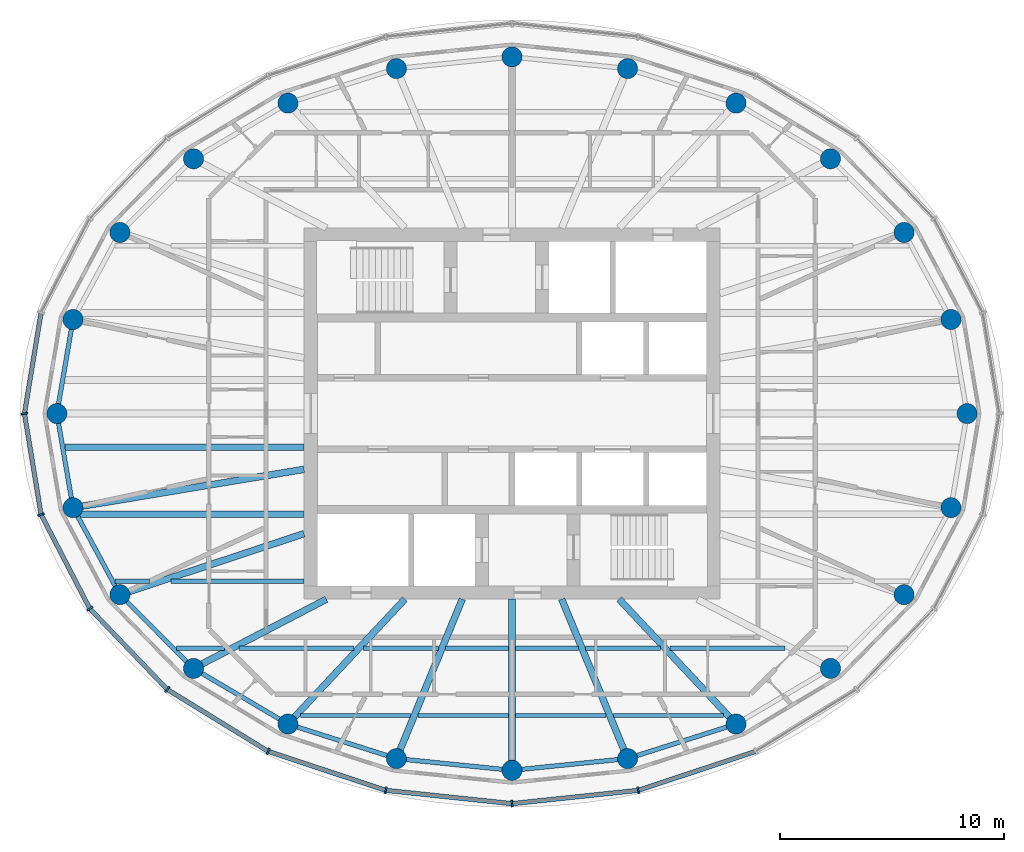
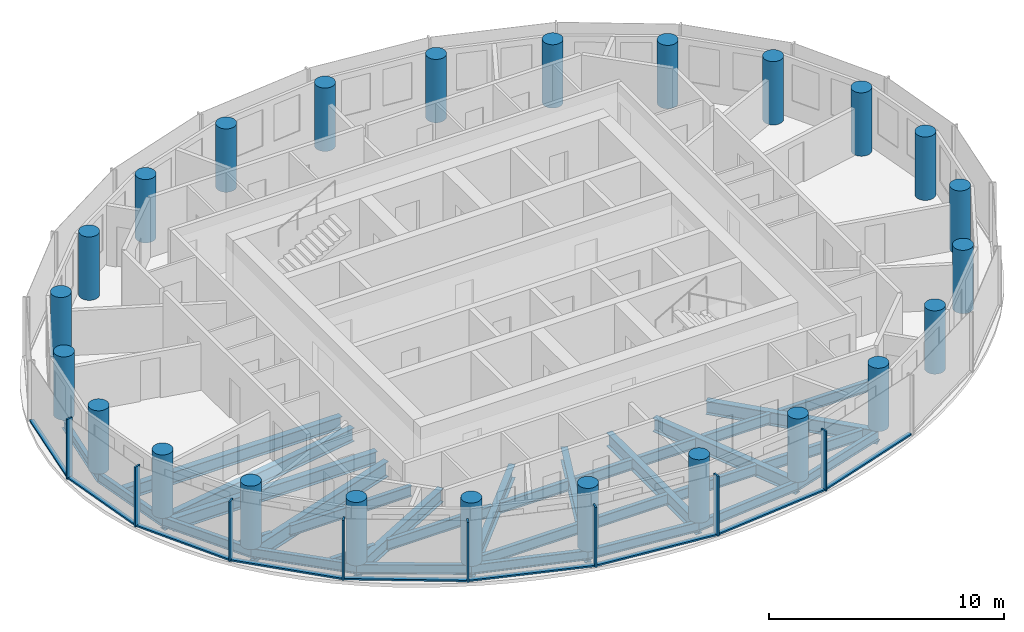
# One storey, part 1 of 11: 32 beams, 24 columns, 17 members, 3 elements without a shape of their own.
"""IFC4 building model written with IfcOpenShell, lengths in metres."""

import ifcopenshell
import ifcopenshell.guid

model = None  # the IFC model being written
_history = None  # IfcOwnerHistory: only IFC2X3 demands one
_inside = {}  # id of a spatial element -> (the spatial element, [elements in it])
_under = {}  # id of a project, library or spatial element -> (it, [spatial elements below it])
_declared = {}  # id of a project -> (the project, [libraries it declares])
_typed = {}  # id of a type object -> (the type object, [elements of that type])
_made_of = {}  # id of a material, layer set ... -> (it, [elements and type objects made of it])


def new_model(schema):
    """Start an empty IFC model of exactly this schema.

    Asked for "IFC4X3", IfcOpenShell would pick the latest addendum, in which some entities
    have other attributes; the version numbers below select the first issue.
    IFC2X3 requires an IfcOwnerHistory on every rooted entity: one is made here for all.
    """
    global model, _history
    if schema == "IFC4X3":
        model = ifcopenshell.file(schema_version=(4, 3, 0, 0))
    else:
        model = ifcopenshell.file(schema=schema)
    _inside.clear()
    _under.clear()
    _declared.clear()
    _typed.clear()
    _made_of.clear()
    _history = None
    if model.schema == "IFC2X3":
        org = make("IfcOrganization", Name="unknown")
        user = make(
            "IfcPersonAndOrganization",
            ThePerson=make("IfcPerson", FamilyName="unknown"),
            TheOrganization=org,
        )
        app = make(
            "IfcApplication",
            ApplicationDeveloper=org,
            Version="unknown",
            ApplicationFullName="unknown",
            ApplicationIdentifier="unknown",
        )
        _history = make(
            "IfcOwnerHistory",
            OwningUser=user,
            OwningApplication=app,
            ChangeAction="ADDED",
            CreationDate=0,
        )
    return model


def make(cls, **values):
    """One entity of the class cls with the attributes given. An attribute that is None is left unset."""
    return model.create_entity(
        cls, **{name: value for name, value in values.items() if value is not None}
    )


def rooted(cls, **values):
    """An entity with a GlobalId (a new one), such as an element, a storey or a relation."""
    return make(cls, GlobalId=ifcopenshell.guid.new(), OwnerHistory=_history, **values)


def si_unit(unit_type, name, prefix=None):
    """IfcSIUnit, for example si_unit("LENGTHUNIT", "METRE", prefix="MILLI")."""
    return make("IfcSIUnit", UnitType=unit_type, Prefix=prefix, Name=name)


def assignment(units):
    """IfcUnitAssignment: the units of a project."""
    return None if units is None else make("IfcUnitAssignment", Units=units)


def point(xyz):
    """IfcCartesianPoint."""
    return None if xyz is None else make("IfcCartesianPoint", Coordinates=xyz)


def direction(xyz):
    """IfcDirection."""
    return None if xyz is None else make("IfcDirection", DirectionRatios=xyz)


def frame(location, z_axis=None, x_axis=None):
    """IfcAxis2Placement3D, a coordinate frame: its origin and axes. An axis left out is left unset."""
    return make(
        "IfcAxis2Placement3D",
        Location=point(location),
        Axis=direction(z_axis),
        RefDirection=direction(x_axis),
    )


def frame_2d(location, x_axis=None):
    """IfcAxis2Placement2D, a coordinate frame in the plane: its origin and x axis."""
    return make(
        "IfcAxis2Placement2D", Location=point(location), RefDirection=direction(x_axis)
    )


def origin():
    """The frame at (0, 0, 0) with its axes left unset."""
    return frame((0.0, 0.0, 0.0))


def origin_2d():
    """The frame at (0, 0) in the plane with its x axis left unset."""
    return frame_2d((0.0, 0.0))


def place(relative_to, where):
    """IfcLocalPlacement: puts the frame where relative to a parent placement (None: the world)."""
    return make(
        "IfcLocalPlacement", PlacementRelTo=relative_to, RelativePlacement=where
    )


def context(
    kind, dimensions, precision=None, world=None, true_north=None, identifier=None
):
    """IfcGeometricRepresentationContext, for example the 3D "Model" context."""
    return make(
        "IfcGeometricRepresentationContext",
        ContextIdentifier=identifier,
        ContextType=kind,
        CoordinateSpaceDimension=dimensions,
        Precision=precision,
        WorldCoordinateSystem=world,
        TrueNorth=true_north,
    )


def subcontext(parent, identifier, kind, view, scale=None):
    """IfcGeometricRepresentationSubContext, for example "Body" below "Model"."""
    return make(
        "IfcGeometricRepresentationSubContext",
        ContextIdentifier=identifier,
        ContextType=kind,
        ParentContext=parent,
        TargetScale=scale,
        TargetView=view,
    )


def project(units=None, contexts=None):
    """IfcProject with its units and contexts."""
    return rooted(
        "IfcProject",
        Name="project",
        RepresentationContexts=contexts,
        UnitsInContext=assignment(units),
    )


def spatial(cls, under=None, at=None, **own):
    """A site, building, storey or space (cls), placed at a placement, below another one or the project."""
    s = rooted(cls, ObjectPlacement=at, **own)
    if under is not None:
        _under.setdefault(under.id(), (under, []))[1].append(s)
    return s


def profile(cls, at=None, kind="AREA", **sizes):
    """A parametric profile (cls). Its sizes go by their IFC names, for example OverallWidth=200.0."""
    return make(cls, ProfileType=kind, Position=at, **sizes)


def rectangle(**sizes):
    """IfcRectangleProfileDef."""
    return profile("IfcRectangleProfileDef", **sizes)


def circle(**sizes):
    """IfcCircleProfileDef."""
    return profile("IfcCircleProfileDef", **sizes)


def i_section(**sizes):
    """IfcIShapeProfileDef."""
    return profile("IfcIShapeProfileDef", **sizes)


def extrude(swept, where, along, depth):
    """IfcExtrudedAreaSolid: the profile swept, set in the frame where, extruded along a direction by depth."""
    return make(
        "IfcExtrudedAreaSolid",
        SweptArea=swept,
        Position=where,
        ExtrudedDirection=direction(along),
        Depth=depth,
    )


def shape(context_of_items, identifier, shape_type, items):
    """IfcShapeRepresentation: the items that make up one representation, for example the "Body"."""
    return make(
        "IfcShapeRepresentation",
        ContextOfItems=context_of_items,
        RepresentationIdentifier=identifier,
        RepresentationType=shape_type,
        Items=items,
    )


def material(Name=None, Category=None):
    """IfcMaterial."""
    return make("IfcMaterial", Name=Name, Category=Category)


def material_profile(
    of_material, cross_section, Name=None, Category=None, Priority=None
):
    """IfcMaterialProfile: a cross section and its material."""
    return make(
        "IfcMaterialProfile",
        Name=Name,
        Material=of_material,
        Profile=cross_section,
        Priority=Priority,
        Category=Category,
    )


def profile_set(profiles, Name=None, composite=None):
    """IfcMaterialProfileSet."""
    return make(
        "IfcMaterialProfileSet",
        Name=Name,
        MaterialProfiles=profiles,
        CompositeProfile=composite,
    )


def made_of(thing, what):
    """Note that an element or type object is made of a material, layer set ...; save() writes the relation."""
    if what is not None:
        _made_of.setdefault(what.id(), (what, []))[1].append(thing)
    return thing


def type_object(cls, material=None, **own):
    """A type object (cls), such as IfcWallType, which elements share."""
    return made_of(rooted(cls, **own), material)


def element(
    cls,
    number,
    at=None,
    inside=None,
    cuts=None,
    type_object=None,
    material=None,
    context=None,
    identifier="Body",
    shape_type=None,
    held_by="IfcProductDefinitionShape",
    body=None,
    shapes=None,
    **own,
):
    """One element of the class cls, such as IfcWall. Its Tag is "e" and its number.

    at: its placement. inside: the storey or other place that contains it. cuts: it is an
    opening in that element (IfcRelVoidsElement). A single representation is given by context,
    identifier, shape_type and body (its items); several are given by shapes. held_by: the class
    of the entity that holds the representations. save() writes the other relations.
    """
    e = rooted(cls, Tag="e%d" % number, ObjectPlacement=at, **own)
    if body is not None:
        shapes = [shape(context, identifier, shape_type, body)]
    if shapes is not None:
        e.Representation = make(held_by, Representations=shapes)
    if inside is not None:
        _inside.setdefault(inside.id(), (inside, []))[1].append(e)
    if cuts is not None:
        rooted(
            "IfcRelVoidsElement", RelatingBuildingElement=cuts, RelatedOpeningElement=e
        )
    if type_object is not None:
        _typed.setdefault(type_object.id(), (type_object, []))[1].append(e)
    return made_of(e, material)


def aggregate(whole, parts):
    """IfcRelAggregates: a whole, such as a stair, and the parts it consists of."""
    return rooted("IfcRelAggregates", RelatingObject=whole, RelatedObjects=parts)


def save(model, path):
    """Write the relations noted so far, then the file.

    IfcRelAggregates (storeys below a building ...), IfcRelContainedInSpatialStructure (elements
    in a storey), IfcRelDefinesByType, IfcRelAssociatesMaterial and IfcRelDeclares: one each for
    every whole, place, type object, material and project.
    """
    for whole, parts in _under.values():
        aggregate(whole, parts)
    for where, things in _inside.values():
        rooted(
            "IfcRelContainedInSpatialStructure",
            RelatedElements=things,
            RelatingStructure=where,
        )
    for kind, things in _typed.values():
        rooted("IfcRelDefinesByType", RelatedObjects=things, RelatingType=kind)
    for what, things in _made_of.values():
        rooted("IfcRelAssociatesMaterial", RelatedObjects=things, RelatingMaterial=what)
    for by, libraries in _declared.values():
        rooted("IfcRelDeclares", RelatingContext=by, RelatedDefinitions=libraries)
    model.write(path)


model = new_model("IFC4")

# Units and contexts
model_context = context("Model", 3, precision=1e-05, world=origin(), true_north=direction((0.0, 1.0)))
body_context = subcontext(model_context, "Body", "Model", "MODEL_VIEW")
ifc_project = project(units=[si_unit("LENGTHUNIT", "METRE"), si_unit("AREAUNIT", "SQUARE_METRE"), si_unit("VOLUMEUNIT", "CUBIC_METRE"), si_unit("PLANEANGLEUNIT", "RADIAN"), si_unit("MASSUNIT", "GRAM", prefix="KILO")], contexts=[model_context])

# Site, building, storey
site_placement = place(None, origin())
site = spatial("IfcSite", under=ifc_project, at=site_placement, CompositionType="ELEMENT")
building_placement = place(site_placement, origin())
building = spatial("IfcBuilding", under=site, at=building_placement, Name="Hankou Lantern Tower", CompositionType="ELEMENT")
storey_placement = place(building_placement, frame((0.0, 0.0, 225.89990234375)))
storey = spatial("IfcBuildingStorey", under=building, at=storey_placement, Name="L61", CompositionType="ELEMENT", Elevation=225.89990234375)

# Columns
ifc_material_1 = material(Name="Concrete C50", Category="concrete")
ifc_material_profile_1 = material_profile(ifc_material_1, circle(Radius=0.449951171875, at=origin_2d()), Name="RC D900")
ifc_profile_set_1 = profile_set([ifc_material_profile_1], Name="Concrete C50")
column_type = type_object("IfcColumnType", Name="TC5 PERIMETER COLUMN RC D900", PredefinedType="COLUMN", material=ifc_profile_set_1)
for number, where, z_axis, x_axis, name in (
    (1, (20.35009765625, 0.0, 0.0), (0.0, 0.0, 1.0), (1.0, 0.0, 0.0), "Column R01 L61"),
    (2, (19.629150390625, 4.207763671875, 0.0), (0.0, 0.0, 1.0), (1.0, 0.0, 0.0), "Column R02 L61"),
    (3, (17.5322265625, 8.097900390625, 0.0), (0.0, 0.0, 1.0), (1.0, 0.0, 0.0), "Column R03 L61"),
    (4, (14.241455078125, 11.393310546875, 0.0), (0.0, 0.0, 1.0), (1.0, 0.0, 0.0), "Column R04 L61"),
    (5, (10.01904296875, 13.8828125, 0.0), (0.0, 0.0, 1.0), (1.0, 0.0, 0.0), "Column R05 L61"),
    (6, (5.167236328125, 15.42724609375, 0.0), (0.0, 0.0, 1.0), (1.0, 0.0, 0.0), "Column R06 L61"),
    (7, (0.0, 15.949951171875, 0.0), (0.0, 0.0, 1.0), (1.0, 0.0, 0.0), "Column R07 L61"),
    (8, (-5.167236328125, 15.42724609375, 0.0), (0.0, 0.0, 1.0), (1.0, 0.0, 0.0), "Column R08 L61"),
    (9, (-10.01904296875, 13.8828125, 0.0), (0.0, 0.0, 1.0), (1.0, 0.0, 0.0), "Column R09 L61"),
    (10, (-14.241455078125, 11.393310546875, 0.0), (0.0, 0.0, 1.0), (1.0, 0.0, 0.0), "Column R10 L61"),
    (11, (-17.5322265625, 8.097900390625, 0.0), (0.0, 0.0, 1.0), (1.0, 0.0, 0.0), "Column R11 L61"),
    (12, (-19.629150390625, 4.207763671875, 0.0), (0.0, 0.0, 1.0), (1.0, 0.0, 0.0), "Column R12 L61"),
    (13, (-20.35009765625, 0.0, 0.0), (0.0, 0.0, 1.0), (1.0, 0.0, 0.0), "Column R13 L61"),
    (14, (-19.629150390625, -4.207763671875, 0.0), (0.0, 0.0, 1.0), (1.0, 0.0, 0.0), "Column R14 L61"),
    (15, (-17.5322265625, -8.097900390625, 0.0), (0.0, 0.0, 1.0), (1.0, 0.0, 0.0), "Column R15 L61"),
    (16, (-14.241455078125, -11.393310546875, 0.0), (0.0, 0.0, 1.0), (1.0, 0.0, 0.0), "Column R16 L61"),
    (17, (-10.01904296875, -13.8828125, 0.0), (0.0, 0.0, 1.0), (1.0, 0.0, 0.0), "Column R17 L61"),
    (18, (-5.167236328125, -15.42724609375, 0.0), (0.0, 0.0, 1.0), (1.0, 0.0, 0.0), "Column R18 L61"),
    (19, (0.0, -15.949951171875, 0.0), (0.0, 0.0, 1.0), (1.0, 0.0, 0.0), "Column R19 L61"),
    (20, (5.167236328125, -15.42724609375, 0.0), (0.0, 0.0, 1.0), (1.0, 0.0, 0.0), "Column R20 L61"),
    (21, (10.01904296875, -13.8828125, 0.0), (0.0, 0.0, 1.0), (1.0, 0.0, 0.0), "Column R21 L61"),
    (22, (14.241455078125, -11.393310546875, 0.0), (0.0, 0.0, 1.0), (1.0, 0.0, 0.0), "Column R22 L61"),
    (23, (17.5322265625, -8.097900390625, 0.0), (0.0, 0.0, 1.0), (1.0, 0.0, 0.0), "Column R23 L61"),
    (24, (19.629150390625, -4.207763671875, 0.0), (0.0, 0.0, 1.0), (1.0, 0.0, 0.0), "Column R24 L61"),
):
    element("IfcColumn", number, at=place(storey_placement, frame(where, z_axis=z_axis, x_axis=x_axis)), inside=storey, type_object=column_type, Name=name, PredefinedType="COLUMN", context=body_context, shape_type="SweptSolid", body=[
        extrude(circle(Radius=0.449951171875, at=origin_2d()), origin(), (0.0, 0.0, 1.0), 3.300048828125),
    ])

# Beams
ifc_material_2 = material(Name="Steel Q355B", Category="steel")
ifc_material_profile_2 = material_profile(ifc_material_2, i_section(OverallWidth=0.199951171875, OverallDepth=0.5, WebThickness=0.010009765625, FlangeThickness=0.01611328125, FilletRadius=0.012939453125, at=origin_2d()), Name="HN500x200x10x16")
ifc_profile_set_2 = profile_set([ifc_material_profile_2], Name="Steel Q355B")
beam_type_1 = type_object("IfcBeamType", Name="EB5 RING BEAM HN500x200x10x16", PredefinedType="SPANDREL", material=ifc_profile_set_2)
for number, where, z_axis, x_axis, name in (
    (25, (-19.629150390625, 4.207763671875, -0.429931640625), (-0.168876512999, -0.98563721691, 0.0), (0.98563721691, -0.168876512999, 0.0), "Ring beam R12-R13 L61"),
    (26, (-20.35009765625, 0.0, -0.429931640625), (0.168876512999, -0.98563721691, 0.0), (0.98563721691, 0.168876512999, 0.0), "Ring beam R13-R14 L61"),
):
    element("IfcBeam", number, at=place(storey_placement, frame(where, z_axis=z_axis, x_axis=x_axis)), inside=storey, type_object=beam_type_1, Name=name, PredefinedType="SPANDREL", context=body_context, shape_type="SweptSolid", body=[
        extrude(i_section(OverallWidth=0.199951171875, OverallDepth=0.5, WebThickness=0.010009765625, FlangeThickness=0.01611328125, FilletRadius=0.012939453125, at=origin_2d()), origin(), (0.0, 0.0, 1.0), 4.26904296875),
    ])
beam_1_placement = place(storey_placement, frame((-19.629150390625, -4.207763671875, -0.429931640625), z_axis=(0.474491806611, -0.880259919262, 0.0), x_axis=(0.880259919262, 0.474491806611, 0.0)))
element("IfcBeam", 27, at=beam_1_placement, inside=storey, type_object=beam_type_1, Name="Ring beam R14-R15 L61", PredefinedType="SPANDREL", context=body_context, shape_type="SweptSolid", body=[
    extrude(i_section(OverallWidth=0.199951171875, OverallDepth=0.5, WebThickness=0.010009765625, FlangeThickness=0.01611328125, FilletRadius=0.012939453125, at=origin_2d()), origin(), (0.0, 0.0, 1.0), 4.419189453125),
])
beam_2_placement = place(storey_placement, frame((-17.5322265625, -8.097900390625, -0.429931640625), z_axis=(0.706608588034, -0.707604623583, 0.0), x_axis=(0.707604623583, 0.706608588034, 0.0)))
element("IfcBeam", 28, at=beam_2_placement, inside=storey, type_object=beam_type_1, Name="Ring beam R15-R16 L61", PredefinedType="SPANDREL", context=body_context, shape_type="SweptSolid", body=[
    extrude(i_section(OverallWidth=0.199951171875, OverallDepth=0.5, WebThickness=0.010009765625, FlangeThickness=0.01611328125, FilletRadius=0.012939453125, at=origin_2d()), origin(), (0.0, 0.0, 1.0), 4.6572265625),
])
beam_3_placement = place(storey_placement, frame((-14.241455078125, -11.393310546875, -0.429931640625), z_axis=(0.861422897323, -0.507888365655, 0.0), x_axis=(0.507888365655, 0.861422897323, 0.0)))
element("IfcBeam", 29, at=beam_3_placement, inside=storey, type_object=beam_type_1, Name="Ring beam R16-R17 L61", PredefinedType="SPANDREL", context=body_context, shape_type="SweptSolid", body=[
    extrude(i_section(OverallWidth=0.199951171875, OverallDepth=0.5, WebThickness=0.010009765625, FlangeThickness=0.01611328125, FilletRadius=0.012939453125, at=origin_2d()), origin(), (0.0, 0.0, 1.0), 4.901611328125),
])
beam_4_placement = place(storey_placement, frame((-10.01904296875, -13.8828125, -0.429931640625), z_axis=(0.952887359315, -0.303324381574, 0.0), x_axis=(0.303324381574, 0.952887359315, 0.0)))
element("IfcBeam", 30, at=beam_4_placement, inside=storey, type_object=beam_type_1, Name="Ring beam R17-R18 L61", PredefinedType="SPANDREL", context=body_context, shape_type="SweptSolid", body=[
    extrude(i_section(OverallWidth=0.199951171875, OverallDepth=0.5, WebThickness=0.010009765625, FlangeThickness=0.01611328125, FilletRadius=0.012939453125, at=origin_2d()), origin(), (0.0, 0.0, 1.0), 5.091796875),
])
for number, where, z_axis, x_axis, name in (
    (31, (-5.167236328125, -15.42724609375, -0.429931640625), (0.994922507736, -0.100643944676, 0.0), (0.100643944676, 0.994922507736, 0.0), "Ring beam R18-R19 L61"),
    (32, (0.0, -15.949951171875, -0.429931640625), (0.994922507736, 0.100643944676, 0.0), (-0.100643944676, 0.994922507736, 0.0), "Ring beam R19-R20 L61"),
):
    element("IfcBeam", number, at=place(storey_placement, frame(where, z_axis=z_axis, x_axis=x_axis)), inside=storey, type_object=beam_type_1, Name=name, PredefinedType="SPANDREL", context=body_context, shape_type="SweptSolid", body=[
        extrude(i_section(OverallWidth=0.199951171875, OverallDepth=0.5, WebThickness=0.010009765625, FlangeThickness=0.01611328125, FilletRadius=0.012939453125, at=origin_2d()), origin(), (0.0, 0.0, 1.0), 5.193603515625),
    ])
beam_5_placement = place(storey_placement, frame((5.167236328125, -15.42724609375, -0.429931640625), z_axis=(0.952887359315, 0.303324381574, 0.0), x_axis=(-0.303324381574, 0.952887359315, 0.0)))
element("IfcBeam", 33, at=beam_5_placement, inside=storey, type_object=beam_type_1, Name="Ring beam R20-R21 L61", PredefinedType="SPANDREL", context=body_context, shape_type="SweptSolid", body=[
    extrude(i_section(OverallWidth=0.199951171875, OverallDepth=0.5, WebThickness=0.010009765625, FlangeThickness=0.01611328125, FilletRadius=0.012939453125, at=origin_2d()), origin(), (0.0, 0.0, 1.0), 5.091796875),
])

# Curtain wall, members
ifc_material_3 = material(Name="Glass, dark grey tinted laminated", Category="glass")
curtain_wall_type = type_object("IfcCurtainWallType", Name="CWD OUTER SKIN SUITE", PredefinedType="USERDEFINED", material=ifc_material_3)
curtain_wall_1_placement = place(storey_placement, origin())
curtain_wall_1 = element("IfcCurtainWall", 34, at=curtain_wall_1_placement, inside=storey, type_object=curtain_wall_type, Name="CWD L61 OS3", ObjectType="OUTER SKIN SUITE", PredefinedType="USERDEFINED")
ifc_material_4 = material(Name="Aluminium, black anodised", Category="aluminium")
ifc_material_profile_3 = material_profile(ifc_material_4, rectangle(XDim=0.080078125, YDim=0.300048828125, at=origin_2d()), Name="MU1 80X300")
ifc_profile_set_3 = profile_set([ifc_material_profile_3], Name="Aluminium, black anodised")
member_type_1 = type_object("IfcMemberType", Name="MU1 OUTER SKIN MULLION 80X300", PredefinedType="MULLION", material=ifc_profile_set_3)
member_1_placement = place(storey_placement, frame((-21.800048828125, 0.0, 0.0), z_axis=(0.0, 0.0, 1.0), x_axis=(0.162381515188, -0.986728049427, 0.0)))
member_1 = element("IfcMember", 35, at=member_1_placement, type_object=member_type_1, Name="CWD mullion 1", PredefinedType="MULLION", context=body_context, shape_type="SweptSolid", body=[
    extrude(rectangle(XDim=0.080078125, YDim=0.300048828125, at=origin_2d()), origin(), (0.0, 0.0, 1.0), 3.1201171875),
])
member_2_placement = place(storey_placement, frame((-21.05712890625, -4.513916015625, 0.0), z_axis=(0.0, 0.0, 1.0), x_axis=(0.317595577365, -0.94822626479, 0.0)))
member_2 = element("IfcMember", 36, at=member_2_placement, type_object=member_type_1, Name="CWD mullion 2", PredefinedType="MULLION", context=body_context, shape_type="SweptSolid", body=[
    extrude(rectangle(XDim=0.080078125, YDim=0.300048828125, at=origin_2d()), origin(), (0.0, 0.0, 1.0), 3.1201171875),
])
member_3_placement = place(storey_placement, frame((-18.87939453125, -8.719970703125, 0.0), z_axis=(0.0, 0.0, 1.0), x_axis=(0.585205735974, -0.810884854084, 0.0)))
member_3 = element("IfcMember", 37, at=member_3_placement, type_object=member_type_1, Name="CWD mullion 3", PredefinedType="MULLION", context=body_context, shape_type="SweptSolid", body=[
    extrude(rectangle(XDim=0.080078125, YDim=0.300048828125, at=origin_2d()), origin(), (0.0, 0.0, 1.0), 3.1201171875),
])
member_4_placement = place(storey_placement, frame((-15.4150390625, -12.33203125, 0.0), z_axis=(0.0, 0.0, 1.0), x_axis=(0.780868809444, -0.624695047553, 0.0)))
member_4 = element("IfcMember", 38, at=member_4_placement, type_object=member_type_1, Name="CWD mullion 4", PredefinedType="MULLION", context=body_context, shape_type="SweptSolid", body=[
    extrude(rectangle(XDim=0.080078125, YDim=0.300048828125, at=origin_2d()), origin(), (0.0, 0.0, 1.0), 3.1201171875),
])
member_5_placement = place(storey_placement, frame((-10.89990234375, -15.103515625, 0.0), z_axis=(0.0, 0.0, 1.0), x_axis=(0.907841299004, -0.419313934686, 0.0)))
member_5 = element("IfcMember", 39, at=member_5_placement, type_object=member_type_1, Name="CWD mullion 5", PredefinedType="MULLION", context=body_context, shape_type="SweptSolid", body=[
    extrude(rectangle(XDim=0.080078125, YDim=0.300048828125, at=origin_2d()), origin(), (0.0, 0.0, 1.0), 3.1201171875),
])
member_6_placement = place(storey_placement, frame((-5.642333984375, -16.845703125, 0.0), z_axis=(0.0, 0.0, 1.0), x_axis=(0.977787659625, -0.209597931016, 0.0)))
member_6 = element("IfcMember", 40, at=member_6_placement, type_object=member_type_1, Name="CWD mullion 6", PredefinedType="MULLION", context=body_context, shape_type="SweptSolid", body=[
    extrude(rectangle(XDim=0.080078125, YDim=0.300048828125, at=origin_2d()), origin(), (0.0, 0.0, 1.0), 3.1201171875),
])

curtain_wall_2_placement = place(storey_placement, origin())
curtain_wall_2 = element("IfcCurtainWall", 41, at=curtain_wall_2_placement, inside=storey, type_object=curtain_wall_type, Name="CWD L61 OS4", ObjectType="OUTER SKIN SUITE", PredefinedType="USERDEFINED")
member_7_placement = place(storey_placement, frame((0.0, -17.43994140625, 0.0), z_axis=(0.0, 0.0, 1.0), x_axis=(0.994499359107, 0.104742659579, 0.0)))
member_7 = element("IfcMember", 42, at=member_7_placement, type_object=member_type_1, Name="CWD mullion 1", PredefinedType="MULLION", context=body_context, shape_type="SweptSolid", body=[
    extrude(rectangle(XDim=0.080078125, YDim=0.300048828125, at=origin_2d()), origin(), (0.0, 0.0, 1.0), 3.1201171875),
])
member_8_placement = place(storey_placement, frame((5.642333984375, -16.845703125, 0.0), z_axis=(0.0, 0.0, 1.0), x_axis=(0.977787659625, 0.209597931016, 0.0)))
member_8 = element("IfcMember", 43, at=member_8_placement, type_object=member_type_1, Name="CWD mullion 2", PredefinedType="MULLION", context=body_context, shape_type="SweptSolid", body=[
    extrude(rectangle(XDim=0.080078125, YDim=0.300048828125, at=origin_2d()), origin(), (0.0, 0.0, 1.0), 3.1201171875),
])

# Beams
ifc_material_5 = material(Name="Steel Q355B", Category="steel")
ifc_material_profile_4 = material_profile(ifc_material_5, i_section(OverallWidth=0.300048828125, OverallDepth=0.800048828125, WebThickness=0.013916015625, FlangeThickness=0.02587890625, FilletRadius=0.01806640625, at=origin_2d()), Name="HN800x300x14x26")
ifc_profile_set_4 = profile_set([ifc_material_profile_4], Name="Steel Q355B")
beam_type_2 = type_object("IfcBeamType", Name="RB11 RADIAL BEAM HN800x300x14x26", PredefinedType="BEAM", material=ifc_profile_set_4)
beam_6_placement = place(storey_placement, frame((-9.300048828125, -5.369384765625, -0.579833984375), z_axis=(-0.949219608576, -0.314614263337, 0.0), x_axis=(0.314614263337, -0.949219608576, 0.0)))
element("IfcBeam", 44, at=beam_6_placement, inside=storey, type_object=beam_type_2, Name="Radial beam R15 L61", PredefinedType="BEAM", context=body_context, shape_type="SweptSolid", body=[
    extrude(i_section(OverallWidth=0.300048828125, OverallDepth=0.800048828125, WebThickness=0.013916015625, FlangeThickness=0.02587890625, FilletRadius=0.01806640625, at=origin_2d()), origin(), (0.0, 0.0, 1.0), 8.672607421875),
])
ifc_material_6 = material(Name="Steel Q355B", Category="steel")
ifc_material_profile_5 = material_profile(ifc_material_6, i_section(OverallWidth=0.300048828125, OverallDepth=0.699951171875, WebThickness=0.012939453125, FlangeThickness=0.02392578125, FilletRadius=0.01806640625, at=origin_2d()), Name="HN700x300x13x24")
ifc_profile_set_5 = profile_set([ifc_material_profile_5], Name="Steel Q355B")
beam_type_3 = type_object("IfcBeamType", Name="RB9 RADIAL BEAM HN700x300x13x24", PredefinedType="BEAM", material=ifc_profile_set_5)
beam_7_placement = place(storey_placement, frame((-9.300048828125, -2.491943359375, -0.52978515625), z_axis=(-0.986482007061, -0.163869612027, 0.0), x_axis=(0.163869612027, -0.986482007061, 0.0)))
element("IfcBeam", 45, at=beam_7_placement, inside=storey, type_object=beam_type_3, Name="Radial beam R14 L61", PredefinedType="BEAM", context=body_context, shape_type="SweptSolid", body=[
    extrude(i_section(OverallWidth=0.300048828125, OverallDepth=0.699951171875, WebThickness=0.012939453125, FlangeThickness=0.02392578125, FilletRadius=0.01806640625, at=origin_2d()), origin(), (0.0, 0.0, 1.0), 10.470703125),
])
beam_8_placement = place(storey_placement, frame((-8.300048828125, -8.300048828125, -0.52978515625), z_axis=(-0.886988734783, -0.461791061378, 0.0), x_axis=(0.461791061378, -0.886988734783, 0.0)))
element("IfcBeam", 46, at=beam_8_placement, inside=storey, type_object=beam_type_3, Name="Radial beam R16 L61", PredefinedType="BEAM", context=body_context, shape_type="SweptSolid", body=[
    extrude(i_section(OverallWidth=0.300048828125, OverallDepth=0.699951171875, WebThickness=0.012939453125, FlangeThickness=0.02392578125, FilletRadius=0.01806640625, at=origin_2d()), origin(), (0.0, 0.0, 1.0), 6.698486328125),
])
beam_9_placement = place(storey_placement, frame((-4.7919921875, -8.300048828125, -0.52978515625), z_axis=(-0.68346844743, -0.729980055459, 0.0), x_axis=(0.729980055459, -0.68346844743, 0.0)))
element("IfcBeam", 47, at=beam_9_placement, inside=storey, type_object=beam_type_3, Name="Radial beam R17 L61", PredefinedType="BEAM", context=body_context, shape_type="SweptSolid", body=[
    extrude(i_section(OverallWidth=0.300048828125, OverallDepth=0.699951171875, WebThickness=0.012939453125, FlangeThickness=0.02392578125, FilletRadius=0.01806640625, at=origin_2d()), origin(), (0.0, 0.0, 1.0), 7.64794921875),
])
beam_10_placement = place(storey_placement, frame((-2.223876953125, -8.300048828125, -0.52978515625), z_axis=(-0.381706648123, -0.924283525104, 0.0), x_axis=(0.924283525104, -0.381706648123, 0.0)))
element("IfcBeam", 48, at=beam_10_placement, inside=storey, type_object=beam_type_3, Name="Radial beam R18 L61", PredefinedType="BEAM", context=body_context, shape_type="SweptSolid", body=[
    extrude(i_section(OverallWidth=0.300048828125, OverallDepth=0.699951171875, WebThickness=0.012939453125, FlangeThickness=0.02392578125, FilletRadius=0.01806640625, at=origin_2d()), origin(), (0.0, 0.0, 1.0), 7.7109375),
])
beam_11_placement = place(storey_placement, frame((0.0, -8.300048828125, -0.52978515625), z_axis=(0.0, -1.0, 0.0), x_axis=(1.0, 0.0, 0.0)))
element("IfcBeam", 49, at=beam_11_placement, inside=storey, type_object=beam_type_3, Name="Radial beam R19 L61", PredefinedType="BEAM", context=body_context, shape_type="SweptSolid", body=[
    extrude(i_section(OverallWidth=0.300048828125, OverallDepth=0.699951171875, WebThickness=0.012939453125, FlangeThickness=0.02392578125, FilletRadius=0.01806640625, at=origin_2d()), origin(), (0.0, 0.0, 1.0), 7.64990234375),
])
beam_12_placement = place(storey_placement, frame((2.223876953125, -8.300048828125, -0.52978515625), z_axis=(0.381706648123, -0.924283525104, 0.0), x_axis=(0.924283525104, 0.381706648123, 0.0)))
element("IfcBeam", 50, at=beam_12_placement, inside=storey, type_object=beam_type_3, Name="Radial beam R20 L61", PredefinedType="BEAM", context=body_context, shape_type="SweptSolid", body=[
    extrude(i_section(OverallWidth=0.300048828125, OverallDepth=0.699951171875, WebThickness=0.012939453125, FlangeThickness=0.02392578125, FilletRadius=0.01806640625, at=origin_2d()), origin(), (0.0, 0.0, 1.0), 7.7109375),
])
beam_13_placement = place(storey_placement, frame((4.7919921875, -8.300048828125, -0.52978515625), z_axis=(0.68346844743, -0.729980055459, 0.0), x_axis=(0.729980055459, 0.68346844743, 0.0)))
element("IfcBeam", 51, at=beam_13_placement, inside=storey, type_object=beam_type_3, Name="Radial beam R21 L61", PredefinedType="BEAM", context=body_context, shape_type="SweptSolid", body=[
    extrude(i_section(OverallWidth=0.300048828125, OverallDepth=0.699951171875, WebThickness=0.012939453125, FlangeThickness=0.02392578125, FilletRadius=0.01806640625, at=origin_2d()), origin(), (0.0, 0.0, 1.0), 7.64794921875),
])
ifc_material_7 = material(Name="Steel Q355B", Category="steel")
ifc_material_profile_6 = material_profile(ifc_material_7, i_section(OverallWidth=0.199951171875, OverallDepth=0.550048828125, WebThickness=0.010009765625, FlangeThickness=0.01611328125, FilletRadius=0.012939453125, at=origin_2d()), Name="HN550x200x10x16")
ifc_profile_set_6 = profile_set([ifc_material_profile_6], Name="Steel Q355B")
beam_type_4 = type_object("IfcBeamType", Name="SB6 SECONDARY BEAM HN550x200x10x16", PredefinedType="JOIST", material=ifc_profile_set_6)
beam_14_placement = place(storey_placement, frame((-9.455078125, -13.5, -0.454833984375), z_axis=(1.0, 0.0, 0.0), x_axis=(0.0, 1.0, 0.0)))
element("IfcBeam", 52, at=beam_14_placement, inside=storey, type_object=beam_type_4, Name="Floor joist J001 L61", PredefinedType="JOIST", context=body_context, shape_type="SweptSolid", body=[
    extrude(i_section(OverallWidth=0.199951171875, OverallDepth=0.550048828125, WebThickness=0.010009765625, FlangeThickness=0.01611328125, FilletRadius=0.012939453125, at=origin_2d()), origin(), (0.0, 0.0, 1.0), 4.92138671875),
])
for number, where, z_axis, x_axis, name in (
    (53, (-4.208984375, -13.5, -0.454833984375), (1.0, 0.0, 0.0), (0.0, 1.0, 0.0), "Floor joist J002 L61"),
    (54, (0.14990234375, -13.5, -0.454833984375), (1.0, 0.0, 0.0), (0.0, 1.0, 0.0), "Floor joist J003 L61"),
):
    element("IfcBeam", number, at=place(storey_placement, frame(where, z_axis=z_axis, x_axis=x_axis)), inside=storey, type_object=beam_type_4, Name=name, PredefinedType="JOIST", context=body_context, shape_type="SweptSolid", body=[
        extrude(i_section(OverallWidth=0.199951171875, OverallDepth=0.550048828125, WebThickness=0.010009765625, FlangeThickness=0.01611328125, FilletRadius=0.012939453125, at=origin_2d()), origin(), (0.0, 0.0, 1.0), 4.05908203125),
    ])
beam_15_placement = place(storey_placement, frame((4.53369140625, -13.5, -0.454833984375), z_axis=(1.0, 0.0, 0.0), x_axis=(0.0, 1.0, 0.0)))
element("IfcBeam", 55, at=beam_15_placement, inside=storey, type_object=beam_type_4, Name="Floor joist J004 L61", PredefinedType="JOIST", context=body_context, shape_type="SweptSolid", body=[
    extrude(i_section(OverallWidth=0.199951171875, OverallDepth=0.550048828125, WebThickness=0.010009765625, FlangeThickness=0.01611328125, FilletRadius=0.012939453125, at=origin_2d()), origin(), (0.0, 0.0, 1.0), 4.92138671875),
])
beam_16_placement = place(storey_placement, frame((-14.9921875, -10.5, -0.454833984375), z_axis=(1.0, 0.0, 0.0), x_axis=(0.0, 1.0, 0.0)))
element("IfcBeam", 56, at=beam_16_placement, inside=storey, type_object=beam_type_4, Name="Floor joist J005 L61", PredefinedType="JOIST", context=body_context, shape_type="SweptSolid", body=[
    extrude(i_section(OverallWidth=0.199951171875, OverallDepth=0.550048828125, WebThickness=0.010009765625, FlangeThickness=0.01611328125, FilletRadius=0.012939453125, at=origin_2d()), origin(), (0.0, 0.0, 1.0), 2.1416015625),
])
beam_17_placement = place(storey_placement, frame((-12.200927734375, -10.5, -0.454833984375), z_axis=(1.0, 0.0, 0.0), x_axis=(0.0, 1.0, 0.0)))
element("IfcBeam", 57, at=beam_17_placement, inside=storey, type_object=beam_type_4, Name="Floor joist J006 L61", PredefinedType="JOIST", context=body_context, shape_type="SweptSolid", body=[
    extrude(i_section(OverallWidth=0.199951171875, OverallDepth=0.550048828125, WebThickness=0.010009765625, FlangeThickness=0.01611328125, FilletRadius=0.012939453125, at=origin_2d()), origin(), (0.0, 0.0, 1.0), 5.1435546875),
])
beam_18_placement = place(storey_placement, frame((-6.646240234375, -10.5, -0.454833984375), z_axis=(1.0, 0.0, 0.0), x_axis=(0.0, 1.0, 0.0)))
element("IfcBeam", 58, at=beam_18_placement, inside=storey, type_object=beam_type_4, Name="Floor joist J007 L61", PredefinedType="JOIST", context=body_context, shape_type="SweptSolid", body=[
    extrude(i_section(OverallWidth=0.199951171875, OverallDepth=0.550048828125, WebThickness=0.010009765625, FlangeThickness=0.01611328125, FilletRadius=0.012939453125, at=origin_2d()), origin(), (0.0, 0.0, 1.0), 3.3515625),
])
for number, where, z_axis, x_axis, name in (
    (59, (-2.97021484375, -10.5, -0.454833984375), (1.0, 0.0, 0.0), (0.0, 1.0, 0.0), "Floor joist J008 L61"),
    (60, (0.14990234375, -10.5, -0.454833984375), (1.0, 0.0, 0.0), (0.0, 1.0, 0.0), "Floor joist J009 L61"),
):
    element("IfcBeam", number, at=place(storey_placement, frame(where, z_axis=z_axis, x_axis=x_axis)), inside=storey, type_object=beam_type_4, Name=name, PredefinedType="JOIST", context=body_context, shape_type="SweptSolid", body=[
        extrude(i_section(OverallWidth=0.199951171875, OverallDepth=0.550048828125, WebThickness=0.010009765625, FlangeThickness=0.01611328125, FilletRadius=0.012939453125, at=origin_2d()), origin(), (0.0, 0.0, 1.0), 2.8203125),
    ])
beam_19_placement = place(storey_placement, frame((3.294677734375, -10.5, -0.454833984375), z_axis=(1.0, 0.0, 0.0), x_axis=(0.0, 1.0, 0.0)))
element("IfcBeam", 61, at=beam_19_placement, inside=storey, type_object=beam_type_4, Name="Floor joist J010 L61", PredefinedType="JOIST", context=body_context, shape_type="SweptSolid", body=[
    extrude(i_section(OverallWidth=0.199951171875, OverallDepth=0.550048828125, WebThickness=0.010009765625, FlangeThickness=0.01611328125, FilletRadius=0.012939453125, at=origin_2d()), origin(), (0.0, 0.0, 1.0), 3.3515625),
])
beam_20_placement = place(storey_placement, frame((7.057373046875, -10.5, -0.454833984375), z_axis=(1.0, 0.0, 0.0), x_axis=(0.0, 1.0, 0.0)))
element("IfcBeam", 62, at=beam_20_placement, inside=storey, type_object=beam_type_4, Name="Floor joist J011 L61", PredefinedType="JOIST", context=body_context, shape_type="SweptSolid", body=[
    extrude(i_section(OverallWidth=0.199951171875, OverallDepth=0.550048828125, WebThickness=0.010009765625, FlangeThickness=0.01611328125, FilletRadius=0.012939453125, at=origin_2d()), origin(), (0.0, 0.0, 1.0), 5.1435546875),
])
beam_21_placement = place(storey_placement, frame((-17.740966796875, -7.5, -0.454833984375), z_axis=(1.0, 0.0, 0.0), x_axis=(0.0, 1.0, 0.0)))
element("IfcBeam", 63, at=beam_21_placement, inside=storey, type_object=beam_type_4, Name="Floor joist J013 L61", PredefinedType="JOIST", context=body_context, shape_type="SweptSolid", body=[
    extrude(i_section(OverallWidth=0.199951171875, OverallDepth=0.550048828125, WebThickness=0.010009765625, FlangeThickness=0.01611328125, FilletRadius=0.012939453125, at=origin_2d()), origin(), (0.0, 0.0, 1.0), 1.53564453125),
])
beam_22_placement = place(storey_placement, frame((-15.251708984375, -7.5, -0.454833984375), z_axis=(1.0, 0.0, 0.0), x_axis=(0.0, 1.0, 0.0)))
element("IfcBeam", 64, at=beam_22_placement, inside=storey, type_object=beam_type_4, Name="Floor joist J014 L61", PredefinedType="JOIST", context=body_context, shape_type="SweptSolid", body=[
    extrude(i_section(OverallWidth=0.199951171875, OverallDepth=0.550048828125, WebThickness=0.010009765625, FlangeThickness=0.01611328125, FilletRadius=0.012939453125, at=origin_2d()), origin(), (0.0, 0.0, 1.0), 5.95166015625),
])
ifc_material_8 = material(Name="Steel Q355B", Category="steel")
ifc_material_profile_7 = material_profile(ifc_material_8, i_section(OverallWidth=0.300048828125, OverallDepth=0.64990234375, WebThickness=0.010986328125, FlangeThickness=0.01708984375, FilletRadius=0.01806640625, at=origin_2d()), Name="HN650x300x11x17")
ifc_profile_set_7 = profile_set([ifc_material_profile_7], Name="Steel Q355B")
beam_type_5 = type_object("IfcBeamType", Name="SB8 SECONDARY BEAM HN650x300x11x17", PredefinedType="JOIST", material=ifc_profile_set_7)
beam_23_placement = place(storey_placement, frame((-19.35791015625, -4.5, -0.5048828125), z_axis=(1.0, 0.0, 0.0), x_axis=(0.0, 1.0, 0.0)))
element("IfcBeam", 65, at=beam_23_placement, inside=storey, type_object=beam_type_5, Name="Floor joist J017 L61", PredefinedType="JOIST", context=body_context, shape_type="SweptSolid", body=[
    extrude(i_section(OverallWidth=0.300048828125, OverallDepth=0.64990234375, WebThickness=0.010986328125, FlangeThickness=0.01708984375, FilletRadius=0.01806640625, at=origin_2d()), origin(), (0.0, 0.0, 1.0), 10.057861328125),
])
beam_24_placement = place(storey_placement, frame((-19.991455078125, -1.5, -0.5048828125), z_axis=(1.0, 0.0, 0.0), x_axis=(0.0, 1.0, 0.0)))
element("IfcBeam", 66, at=beam_24_placement, inside=storey, type_object=beam_type_5, Name="Floor joist J019 L61", PredefinedType="JOIST", context=body_context, shape_type="SweptSolid", body=[
    extrude(i_section(OverallWidth=0.300048828125, OverallDepth=0.64990234375, WebThickness=0.010986328125, FlangeThickness=0.01708984375, FilletRadius=0.01806640625, at=origin_2d()), origin(), (0.0, 0.0, 1.0), 10.69140625),
])

# Curtain wall, member
curtain_wall_3_placement = place(storey_placement, origin())
curtain_wall_3 = element("IfcCurtainWall", 67, at=curtain_wall_3_placement, inside=storey, type_object=curtain_wall_type, Name="CWD L61 OS2", ObjectType="OUTER SKIN SUITE", PredefinedType="USERDEFINED")
ifc_material_9 = material(Name="Aluminium, black anodised", Category="aluminium")
ifc_material_profile_8 = material_profile(ifc_material_9, rectangle(XDim=0.199951171875, YDim=0.080078125, at=origin_2d()), Name="TR1 200X80")
ifc_profile_set_8 = profile_set([ifc_material_profile_8], Name="Aluminium, black anodised")
member_type_2 = type_object("IfcMemberType", Name="TR1 OUTER SKIN TRANSOM 200X80", PredefinedType="USERDEFINED", material=ifc_profile_set_8)
member_9_placement = place(storey_placement, frame((-21.063720703125, 4.474365234375, 0.0400390625), z_axis=(-0.162363822839, -0.986730960816, 0.0), x_axis=(0.986730960816, -0.162363822839, 0.0)))
member_9 = element("IfcMember", 68, at=member_9_placement, type_object=member_type_2, Name="CWD transom 6", ObjectType="TRANSOM", PredefinedType="USERDEFINED", context=body_context, shape_type="SweptSolid", body=[
    extrude(rectangle(XDim=0.199951171875, YDim=0.080078125, at=origin_2d()), origin(), (0.0, 0.0, 1.0), 4.494384765625),
])
aggregate(curtain_wall_3, [member_9])

# Member
member_10_placement = place(storey_placement, frame((-21.79345703125, -0.03955078125, 0.0400390625), z_axis=(0.162363822839, -0.986730960816, 0.0), x_axis=(0.986730960816, 0.162363822839, 0.0)))
member_10 = element("IfcMember", 69, at=member_10_placement, type_object=member_type_2, Name="CWD transom 1", ObjectType="TRANSOM", PredefinedType="USERDEFINED", context=body_context, shape_type="SweptSolid", body=[
    extrude(rectangle(XDim=0.199951171875, YDim=0.080078125, at=origin_2d()), origin(), (0.0, 0.0, 1.0), 4.494384765625),
])

member_11_placement = place(storey_placement, frame((-21.038818359375, -4.54931640625, 0.0400390625), z_axis=(0.45979371115, -0.888025755925, 0.0), x_axis=(0.888025755925, 0.45979371115, 0.0)))
member_11 = element("IfcMember", 70, at=member_11_placement, type_object=member_type_2, Name="CWD transom 2", ObjectType="TRANSOM", PredefinedType="USERDEFINED", context=body_context, shape_type="SweptSolid", body=[
    extrude(rectangle(XDim=0.199951171875, YDim=0.080078125, at=origin_2d()), origin(), (0.0, 0.0, 1.0), 4.65673828125),
])

member_12_placement = place(storey_placement, frame((-18.8515625, -8.748779296875, 0.0400390625), z_axis=(0.692204633274, -0.721701285626, 0.0), x_axis=(0.721701285626, 0.692204633274, 0.0)))
member_12 = element("IfcMember", 71, at=member_12_placement, type_object=member_type_2, Name="CWD transom 3", ObjectType="TRANSOM", PredefinedType="USERDEFINED", context=body_context, shape_type="SweptSolid", body=[
    extrude(rectangle(XDim=0.199951171875, YDim=0.080078125, at=origin_2d()), origin(), (0.0, 0.0, 1.0), 4.9248046875),
])

member_13_placement = place(storey_placement, frame((-15.380859375, -12.352783203125, 0.0400390625), z_axis=(0.852234544008, -0.523159900986, 0.0), x_axis=(0.523159900986, 0.852234544008, 0.0)))
member_13 = element("IfcMember", 72, at=member_13_placement, type_object=member_type_2, Name="CWD transom 4", ObjectType="TRANSOM", PredefinedType="USERDEFINED", context=body_context, shape_type="SweptSolid", body=[
    extrude(rectangle(XDim=0.199951171875, YDim=0.080078125, at=origin_2d()), origin(), (0.0, 0.0, 1.0), 5.2177734375),
])

member_14_placement = place(storey_placement, frame((-10.862060546875, -15.115966796875, 0.0400390625), z_axis=(0.949231947668, -0.314577032739, 0.0), x_axis=(0.314577032739, 0.949231947668, 0.0)))
member_14 = element("IfcMember", 73, at=member_14_placement, type_object=member_type_2, Name="CWD transom 5", ObjectType="TRANSOM", PredefinedType="USERDEFINED", context=body_context, shape_type="SweptSolid", body=[
    extrude(rectangle(XDim=0.199951171875, YDim=0.080078125, at=origin_2d()), origin(), (0.0, 0.0, 1.0), 5.458984375),
])

member_15_placement = place(storey_placement, frame((-5.6025390625, -16.849853515625, 0.0400390625), z_axis=(0.994498275726, -0.104752945435, 0.0), x_axis=(0.104752945435, 0.994498275726, 0.0)))
member_15 = element("IfcMember", 74, at=member_15_placement, type_object=member_type_2, Name="CWD transom 6", ObjectType="TRANSOM", PredefinedType="USERDEFINED", context=body_context, shape_type="SweptSolid", body=[
    extrude(rectangle(XDim=0.199951171875, YDim=0.080078125, at=origin_2d()), origin(), (0.0, 0.0, 1.0), 5.593505859375),
])

aggregate(curtain_wall_1, [member_1, member_2, member_3, member_4, member_5, member_6, member_10, member_11, member_12, member_13, member_14, member_15])

member_16_placement = place(storey_placement, frame((0.039794921875, -17.435791015625, 0.0400390625), z_axis=(0.994498275726, 0.104752945435, 0.0), x_axis=(-0.104752945435, 0.994498275726, 0.0)))
member_16 = element("IfcMember", 75, at=member_16_placement, type_object=member_type_2, Name="CWD transom 1", ObjectType="TRANSOM", PredefinedType="USERDEFINED", context=body_context, shape_type="SweptSolid", body=[
    extrude(rectangle(XDim=0.199951171875, YDim=0.080078125, at=origin_2d()), origin(), (0.0, 0.0, 1.0), 5.593505859375),
])

member_17_placement = place(storey_placement, frame((5.68017578125, -16.833251953125, 0.0400390625), z_axis=(0.949231947668, 0.314577032739, 0.0), x_axis=(-0.314577032739, 0.949231947668, 0.0)))
member_17 = element("IfcMember", 76, at=member_17_placement, type_object=member_type_2, Name="CWD transom 2", ObjectType="TRANSOM", PredefinedType="USERDEFINED", context=body_context, shape_type="SweptSolid", body=[
    extrude(rectangle(XDim=0.199951171875, YDim=0.080078125, at=origin_2d()), origin(), (0.0, 0.0, 1.0), 5.458984375),
])

aggregate(curtain_wall_2, [member_7, member_8, member_16, member_17])

save(model, "model.ifc")
